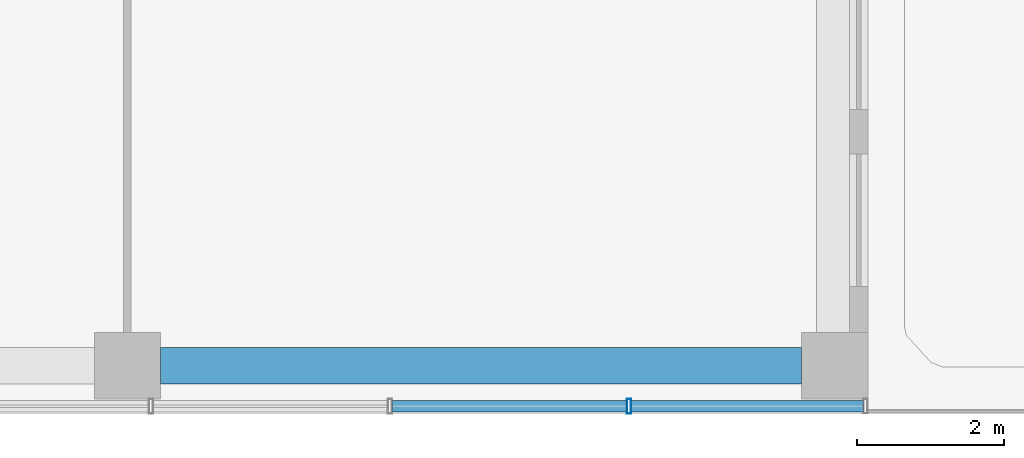
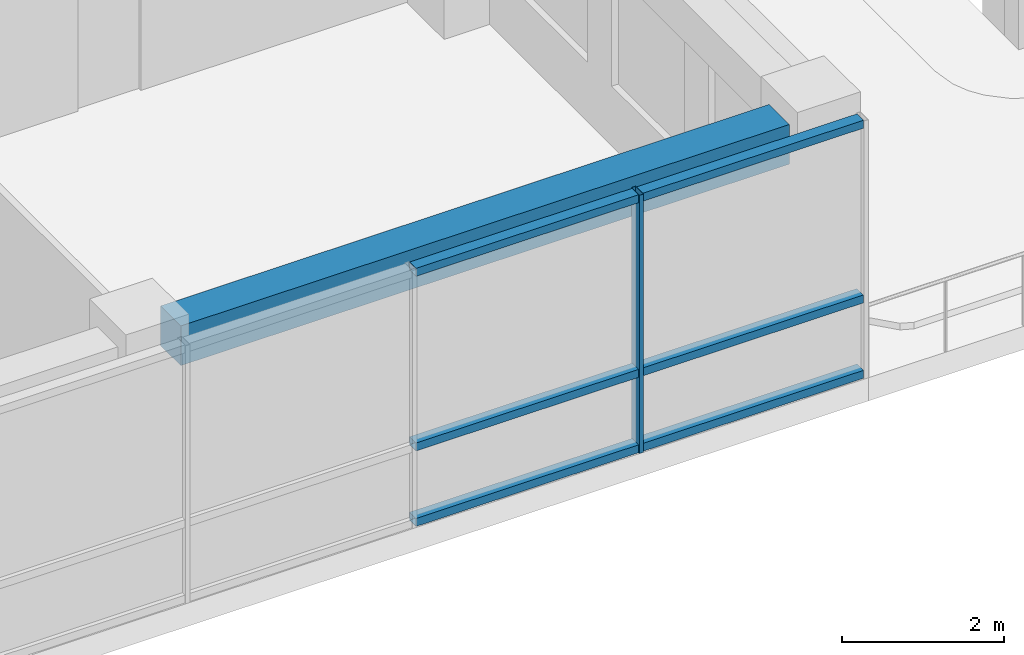
# One storey, part 12 of 72: 7 members, 1 beam, 1 element without a shape of its own.
"""IFC4 building model written with IfcOpenShell, lengths in metres."""

import ifcopenshell
import ifcopenshell.guid

model = None  # the IFC model being written
_history = None  # IfcOwnerHistory: only IFC2X3 demands one
_inside = {}  # id of a spatial element -> (the spatial element, [elements in it])
_under = {}  # id of a project, library or spatial element -> (it, [spatial elements below it])
_declared = {}  # id of a project -> (the project, [libraries it declares])
_typed = {}  # id of a type object -> (the type object, [elements of that type])
_made_of = {}  # id of a material, layer set ... -> (it, [elements and type objects made of it])


def new_model(schema):
    """Start an empty IFC model of exactly this schema.

    Asked for "IFC4X3", IfcOpenShell would pick the latest addendum, in which some entities
    have other attributes; the version numbers below select the first issue.
    IFC2X3 requires an IfcOwnerHistory on every rooted entity: one is made here for all.
    """
    global model, _history
    if schema == "IFC4X3":
        model = ifcopenshell.file(schema_version=(4, 3, 0, 0))
    else:
        model = ifcopenshell.file(schema=schema)
    _inside.clear()
    _under.clear()
    _declared.clear()
    _typed.clear()
    _made_of.clear()
    _history = None
    if model.schema == "IFC2X3":
        org = make("IfcOrganization", Name="unknown")
        user = make(
            "IfcPersonAndOrganization",
            ThePerson=make("IfcPerson", FamilyName="unknown"),
            TheOrganization=org,
        )
        app = make(
            "IfcApplication",
            ApplicationDeveloper=org,
            Version="unknown",
            ApplicationFullName="unknown",
            ApplicationIdentifier="unknown",
        )
        _history = make(
            "IfcOwnerHistory",
            OwningUser=user,
            OwningApplication=app,
            ChangeAction="ADDED",
            CreationDate=0,
        )
    return model


def make(cls, **values):
    """One entity of the class cls with the attributes given. An attribute that is None is left unset."""
    return model.create_entity(
        cls, **{name: value for name, value in values.items() if value is not None}
    )


def rooted(cls, **values):
    """An entity with a GlobalId (a new one), such as an element, a storey or a relation."""
    return make(cls, GlobalId=ifcopenshell.guid.new(), OwnerHistory=_history, **values)


def si_unit(unit_type, name, prefix=None):
    """IfcSIUnit, for example si_unit("LENGTHUNIT", "METRE", prefix="MILLI")."""
    return make("IfcSIUnit", UnitType=unit_type, Prefix=prefix, Name=name)


def assignment(units):
    """IfcUnitAssignment: the units of a project."""
    return None if units is None else make("IfcUnitAssignment", Units=units)


def point(xyz):
    """IfcCartesianPoint."""
    return None if xyz is None else make("IfcCartesianPoint", Coordinates=xyz)


def direction(xyz):
    """IfcDirection."""
    return None if xyz is None else make("IfcDirection", DirectionRatios=xyz)


def frame(location, z_axis=None, x_axis=None):
    """IfcAxis2Placement3D, a coordinate frame: its origin and axes. An axis left out is left unset."""
    return make(
        "IfcAxis2Placement3D",
        Location=point(location),
        Axis=direction(z_axis),
        RefDirection=direction(x_axis),
    )


def frame_2d(location, x_axis=None):
    """IfcAxis2Placement2D, a coordinate frame in the plane: its origin and x axis."""
    return make(
        "IfcAxis2Placement2D", Location=point(location), RefDirection=direction(x_axis)
    )


def origin():
    """The frame at (0, 0, 0) with its axes left unset."""
    return frame((0.0, 0.0, 0.0))


def origin_2d():
    """The frame at (0, 0) in the plane with its x axis left unset."""
    return frame_2d((0.0, 0.0))


def place(relative_to, where):
    """IfcLocalPlacement: puts the frame where relative to a parent placement (None: the world)."""
    return make(
        "IfcLocalPlacement", PlacementRelTo=relative_to, RelativePlacement=where
    )


def context(
    kind, dimensions, precision=None, world=None, true_north=None, identifier=None
):
    """IfcGeometricRepresentationContext, for example the 3D "Model" context."""
    return make(
        "IfcGeometricRepresentationContext",
        ContextIdentifier=identifier,
        ContextType=kind,
        CoordinateSpaceDimension=dimensions,
        Precision=precision,
        WorldCoordinateSystem=world,
        TrueNorth=true_north,
    )


def subcontext(parent, identifier, kind, view, scale=None):
    """IfcGeometricRepresentationSubContext, for example "Body" below "Model"."""
    return make(
        "IfcGeometricRepresentationSubContext",
        ContextIdentifier=identifier,
        ContextType=kind,
        ParentContext=parent,
        TargetScale=scale,
        TargetView=view,
    )


def project(units=None, contexts=None):
    """IfcProject with its units and contexts."""
    return rooted(
        "IfcProject",
        Name="project",
        RepresentationContexts=contexts,
        UnitsInContext=assignment(units),
    )


def spatial(cls, under=None, at=None, **own):
    """A site, building, storey or space (cls), placed at a placement, below another one or the project."""
    s = rooted(cls, ObjectPlacement=at, **own)
    if under is not None:
        _under.setdefault(under.id(), (under, []))[1].append(s)
    return s


def profile(cls, at=None, kind="AREA", **sizes):
    """A parametric profile (cls). Its sizes go by their IFC names, for example OverallWidth=200.0."""
    return make(cls, ProfileType=kind, Position=at, **sizes)


def rectangle(**sizes):
    """IfcRectangleProfileDef."""
    return profile("IfcRectangleProfileDef", **sizes)


def hollow_rectangle(**sizes):
    """IfcRectangleHollowProfileDef."""
    return profile("IfcRectangleHollowProfileDef", **sizes)


def extrude(swept, where, along, depth):
    """IfcExtrudedAreaSolid: the profile swept, set in the frame where, extruded along a direction by depth."""
    return make(
        "IfcExtrudedAreaSolid",
        SweptArea=swept,
        Position=where,
        ExtrudedDirection=direction(along),
        Depth=depth,
    )


def shape(context_of_items, identifier, shape_type, items):
    """IfcShapeRepresentation: the items that make up one representation, for example the "Body"."""
    return make(
        "IfcShapeRepresentation",
        ContextOfItems=context_of_items,
        RepresentationIdentifier=identifier,
        RepresentationType=shape_type,
        Items=items,
    )


def material(Name=None, Category=None):
    """IfcMaterial."""
    return make("IfcMaterial", Name=Name, Category=Category)


def layer(
    of_material, thickness, ventilated=None, Name=None, Category=None, Priority=None
):
    """IfcMaterialLayer: one layer of a wall or slab, of a material (None: an air gap)."""
    return make(
        "IfcMaterialLayer",
        Material=of_material,
        LayerThickness=thickness,
        IsVentilated=ventilated,
        Name=Name,
        Category=Category,
        Priority=Priority,
    )


def layer_set(layers, Name=None):
    """IfcMaterialLayerSet."""
    return make("IfcMaterialLayerSet", MaterialLayers=layers, LayerSetName=Name)


def material_profile(
    of_material, cross_section, Name=None, Category=None, Priority=None
):
    """IfcMaterialProfile: a cross section and its material."""
    return make(
        "IfcMaterialProfile",
        Name=Name,
        Material=of_material,
        Profile=cross_section,
        Priority=Priority,
        Category=Category,
    )


def profile_set(profiles, Name=None, composite=None):
    """IfcMaterialProfileSet."""
    return make(
        "IfcMaterialProfileSet",
        Name=Name,
        MaterialProfiles=profiles,
        CompositeProfile=composite,
    )


def made_of(thing, what):
    """Note that an element or type object is made of a material, layer set ...; save() writes the relation."""
    if what is not None:
        _made_of.setdefault(what.id(), (what, []))[1].append(thing)
    return thing


def type_object(cls, material=None, **own):
    """A type object (cls), such as IfcWallType, which elements share."""
    return made_of(rooted(cls, **own), material)


def element(
    cls,
    number,
    at=None,
    inside=None,
    cuts=None,
    type_object=None,
    material=None,
    context=None,
    identifier="Body",
    shape_type=None,
    held_by="IfcProductDefinitionShape",
    body=None,
    shapes=None,
    **own,
):
    """One element of the class cls, such as IfcWall. Its Tag is "e" and its number.

    at: its placement. inside: the storey or other place that contains it. cuts: it is an
    opening in that element (IfcRelVoidsElement). A single representation is given by context,
    identifier, shape_type and body (its items); several are given by shapes. held_by: the class
    of the entity that holds the representations. save() writes the other relations.
    """
    e = rooted(cls, Tag="e%d" % number, ObjectPlacement=at, **own)
    if body is not None:
        shapes = [shape(context, identifier, shape_type, body)]
    if shapes is not None:
        e.Representation = make(held_by, Representations=shapes)
    if inside is not None:
        _inside.setdefault(inside.id(), (inside, []))[1].append(e)
    if cuts is not None:
        rooted(
            "IfcRelVoidsElement", RelatingBuildingElement=cuts, RelatedOpeningElement=e
        )
    if type_object is not None:
        _typed.setdefault(type_object.id(), (type_object, []))[1].append(e)
    return made_of(e, material)


def aggregate(whole, parts):
    """IfcRelAggregates: a whole, such as a stair, and the parts it consists of."""
    return rooted("IfcRelAggregates", RelatingObject=whole, RelatedObjects=parts)


def save(model, path):
    """Write the relations noted so far, then the file.

    IfcRelAggregates (storeys below a building ...), IfcRelContainedInSpatialStructure (elements
    in a storey), IfcRelDefinesByType, IfcRelAssociatesMaterial and IfcRelDeclares: one each for
    every whole, place, type object, material and project.
    """
    for whole, parts in _under.values():
        aggregate(whole, parts)
    for where, things in _inside.values():
        rooted(
            "IfcRelContainedInSpatialStructure",
            RelatedElements=things,
            RelatingStructure=where,
        )
    for kind, things in _typed.values():
        rooted("IfcRelDefinesByType", RelatedObjects=things, RelatingType=kind)
    for what, things in _made_of.values():
        rooted("IfcRelAssociatesMaterial", RelatedObjects=things, RelatingMaterial=what)
    for by, libraries in _declared.values():
        rooted("IfcRelDeclares", RelatingContext=by, RelatedDefinitions=libraries)
    model.write(path)


model = new_model("IFC4")

# Units and contexts
model_context = context("Model", 3, precision=1e-05, world=origin(), true_north=direction((0.0, 1.0)))
body_context = subcontext(model_context, "Body", "Model", "MODEL_VIEW")
ifc_project = project(units=[si_unit("LENGTHUNIT", "METRE"), si_unit("AREAUNIT", "SQUARE_METRE"), si_unit("VOLUMEUNIT", "CUBIC_METRE"), si_unit("PLANEANGLEUNIT", "RADIAN"), si_unit("MASSUNIT", "GRAM", prefix="KILO")], contexts=[model_context])

# Site, building, storey
site_placement = place(None, origin())
site = spatial("IfcSite", under=ifc_project, at=site_placement, CompositionType="ELEMENT")
building_placement = place(site_placement, origin())
building = spatial("IfcBuilding", under=site, at=building_placement, Name="Nzadi Deep Aquarium and Research Tower", CompositionType="ELEMENT")
storey_placement = place(building_placement, frame((0.0, 0.0, 31.89990234375)))
storey = spatial("IfcBuildingStorey", under=building, at=storey_placement, Name="L05", CompositionType="ELEMENT", Elevation=31.89990234375)

# Curtain wall, member
ifc_material_1 = material(Name="Aluminium unitised frame", Category="aluminium")
ifc_layer = layer(ifc_material_1, 0.199951171875)
ifc_layer_set = layer_set([ifc_layer], Name="Aluminium unitised frame")
curtain_wall_type = type_object("IfcCurtainWallType", Name="Curtain wall Unitised 200", PredefinedType="NOTDEFINED", material=ifc_layer_set)
curtain_wall_placement = place(storey_placement, origin())
curtain_wall = element("IfcCurtainWall", 1, at=curtain_wall_placement, inside=storey, type_object=curtain_wall_type, Name="Unitised curtain wall blade A south L05", PredefinedType="NOTDEFINED")
ifc_material_2 = material(Name="Aluminium unitised frame", Category="aluminium")
ifc_material_profile_1 = material_profile(ifc_material_2, hollow_rectangle(XDim=0.199951171875, YDim=0.06005859375, WallThickness=0.0048828125, at=origin_2d()))
ifc_profile_set_1 = profile_set([ifc_material_profile_1], Name="Aluminium unitised frame")
member_type_1 = type_object("IfcMemberType", Name="Mullion 60x200 Unitised", PredefinedType="MULLION", material=ifc_profile_set_1)
member_1_placement = place(storey_placement, frame((45.206787109375, -0.10009765625, 0.0), z_axis=(0.0, 0.0, 1.0), x_axis=(0.0, 1.0, 0.0)))
member_1 = element("IfcMember", 2, at=member_1_placement, type_object=member_type_1, Name="CW001 mullion 15", PredefinedType="MULLION", context=body_context, shape_type="SweptSolid", body=[
    extrude(hollow_rectangle(XDim=0.199951171875, YDim=0.06005859375, WallThickness=0.0048828125, at=origin_2d()), origin(), (0.0, 0.0, 1.0), 3.900146484375),
])

# Beam
ifc_material_3 = material(Name="Concrete C35/45", Category="concrete")
ifc_material_profile_2 = material_profile(ifc_material_3, rectangle(XDim=0.5, YDim=0.60009765625, at=origin_2d()))
ifc_profile_set_2 = profile_set([ifc_material_profile_2], Name="Concrete C35/45")
beam_type = type_object("IfcBeamType", Name="RC 500x600", PredefinedType="BEAM", material=ifc_profile_set_2)
beam_placement = place(storey_placement, frame((38.85009765625, 0.449951171875, 3.60009765625), z_axis=(1.0, 0.0, 0.0), x_axis=(0.0, 1.0, 0.0)))
element("IfcBeam", 3, at=beam_placement, inside=storey, type_object=beam_type, Name="B-Z1-L05-L1-5", PredefinedType="BEAM", context=body_context, shape_type="SweptSolid", body=[
    extrude(rectangle(XDim=0.5, YDim=0.60009765625, at=origin_2d()), origin(), (0.0, 0.0, 1.0), 8.699951171875),
])

# Member
ifc_material_4 = material(Name="Aluminium unitised frame", Category="aluminium")
ifc_material_profile_3 = material_profile(ifc_material_4, hollow_rectangle(XDim=0.159912109375, YDim=0.1201171875, WallThickness=0.0048828125, at=origin_2d()))
ifc_profile_set_3 = profile_set([ifc_material_profile_3], Name="Aluminium unitised frame")
member_type_2 = type_object("IfcMemberType", Name="Transom 120x160 Unitised", PredefinedType="MULLION", material=ifc_profile_set_3)
member_2_placement = place(storey_placement, frame((41.993408203125, -0.10009765625, 0.06005859375), z_axis=(1.0, 0.0, 0.0), x_axis=(0.0, 1.0, 0.0)))
member_2 = element("IfcMember", 4, at=member_2_placement, type_object=member_type_2, Name="CW001 transom 14.1", PredefinedType="MULLION", context=body_context, shape_type="SweptSolid", body=[
    extrude(hollow_rectangle(XDim=0.159912109375, YDim=0.1201171875, WallThickness=0.0048828125, at=origin_2d()), origin(), (0.0, 0.0, 1.0), 3.183349609375),
])

member_3_placement = place(storey_placement, frame((41.993408203125, -0.10009765625, 1.2001953125), z_axis=(1.0, 0.0, 0.0), x_axis=(0.0, 1.0, 0.0)))
member_3 = element("IfcMember", 5, at=member_3_placement, type_object=member_type_2, Name="CW001 transom 14.2", PredefinedType="MULLION", context=body_context, shape_type="SweptSolid", body=[
    extrude(hollow_rectangle(XDim=0.159912109375, YDim=0.1201171875, WallThickness=0.0048828125, at=origin_2d()), origin(), (0.0, 0.0, 1.0), 3.183349609375),
])

member_4_placement = place(storey_placement, frame((41.993408203125, -0.10009765625, 3.840087890625), z_axis=(1.0, 0.0, 0.0), x_axis=(0.0, 1.0, 0.0)))
member_4 = element("IfcMember", 6, at=member_4_placement, type_object=member_type_2, Name="CW001 transom 14.3", PredefinedType="MULLION", context=body_context, shape_type="SweptSolid", body=[
    extrude(hollow_rectangle(XDim=0.159912109375, YDim=0.1201171875, WallThickness=0.0048828125, at=origin_2d()), origin(), (0.0, 0.0, 1.0), 3.183349609375),
])

member_5_placement = place(storey_placement, frame((45.236572265625, -0.10009765625, 0.06005859375), z_axis=(1.0, 0.0, 0.0), x_axis=(0.0, 1.0, 0.0)))
member_5 = element("IfcMember", 7, at=member_5_placement, type_object=member_type_2, Name="CW001 transom 15.1", PredefinedType="MULLION", context=body_context, shape_type="SweptSolid", body=[
    extrude(hollow_rectangle(XDim=0.159912109375, YDim=0.1201171875, WallThickness=0.0048828125, at=origin_2d()), origin(), (0.0, 0.0, 1.0), 3.1533203125),
])

member_6_placement = place(storey_placement, frame((45.236572265625, -0.10009765625, 1.2001953125), z_axis=(1.0, 0.0, 0.0), x_axis=(0.0, 1.0, 0.0)))
member_6 = element("IfcMember", 8, at=member_6_placement, type_object=member_type_2, Name="CW001 transom 15.2", PredefinedType="MULLION", context=body_context, shape_type="SweptSolid", body=[
    extrude(hollow_rectangle(XDim=0.159912109375, YDim=0.1201171875, WallThickness=0.0048828125, at=origin_2d()), origin(), (0.0, 0.0, 1.0), 3.1533203125),
])

member_7_placement = place(storey_placement, frame((45.236572265625, -0.10009765625, 3.840087890625), z_axis=(1.0, 0.0, 0.0), x_axis=(0.0, 1.0, 0.0)))
member_7 = element("IfcMember", 9, at=member_7_placement, type_object=member_type_2, Name="CW001 transom 15.3", PredefinedType="MULLION", context=body_context, shape_type="SweptSolid", body=[
    extrude(hollow_rectangle(XDim=0.159912109375, YDim=0.1201171875, WallThickness=0.0048828125, at=origin_2d()), origin(), (0.0, 0.0, 1.0), 3.1533203125),
])

aggregate(curtain_wall, [member_1, member_2, member_3, member_4, member_5, member_6, member_7])

save(model, "model.ifc")
